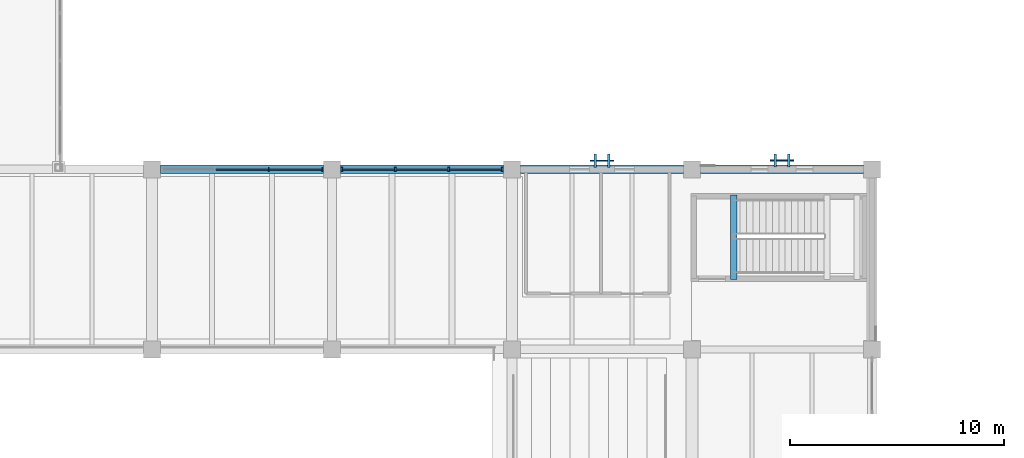
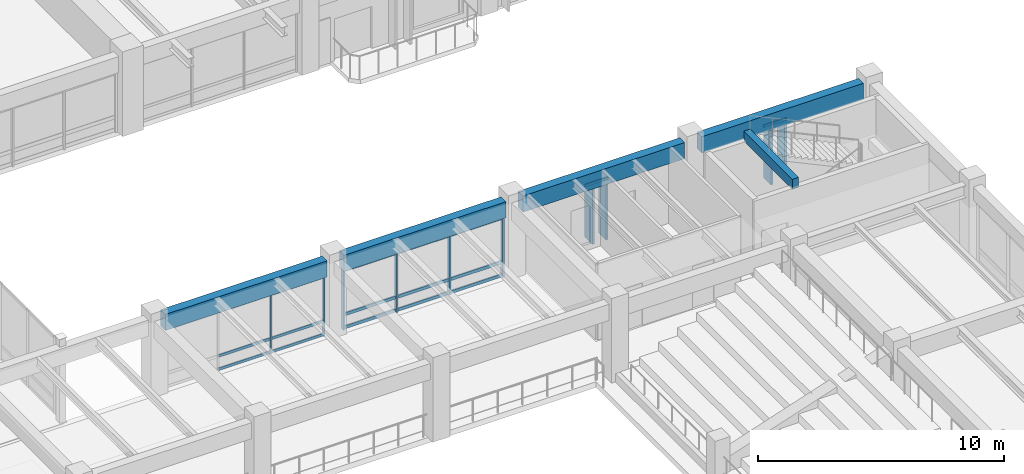
# One storey, part 41 of 132: 27 members, 5 beams, 4 elements without a shape of their own.
"""IFC4 building model written with IfcOpenShell, lengths in metres."""

from ifc_helpers import new_model, si_unit, direction, frame, origin, origin_2d, place, context, subcontext, project, spatial, rectangle, extrude, material, material_profile, profile_set, type_object, element, aggregate, save


model = new_model("IFC4")

# Units and contexts
model_context = context("Model", 3, precision=1e-05, world=origin(), true_north=direction((0.0, 1.0)))
body_context = subcontext(model_context, "Body", "Model", "MODEL_VIEW")
ifc_project = project(units=[si_unit("LENGTHUNIT", "METRE"), si_unit("AREAUNIT", "SQUARE_METRE"), si_unit("VOLUMEUNIT", "CUBIC_METRE"), si_unit("PLANEANGLEUNIT", "RADIAN"), si_unit("MASSUNIT", "GRAM", prefix="KILO")], contexts=[model_context])

# Site, building, storey
site_placement = place(None, origin())
site = spatial("IfcSite", under=ifc_project, at=site_placement, CompositionType="ELEMENT")
building_placement = place(site_placement, origin())
building = spatial("IfcBuilding", under=site, at=building_placement, Name="Cumbredor Promenade Congress Hotel", CompositionType="ELEMENT")
storey_placement = place(building_placement, frame((0.0, 0.0, 7.56005859375)))
storey = spatial("IfcBuildingStorey", under=building, at=storey_placement, Name="L02", CompositionType="ELEMENT", Elevation=7.56005859375)

# Curtain wall, members
ifc_material_1 = material(Name="Thermally broken anodized aluminium and low-E glass", Category="aluminium")
curtain_wall_type_1 = type_object("IfcCurtainWallType", Name="Unitised Bronze Curtain Wall CW-01", PredefinedType="NOTDEFINED", material=ifc_material_1)
curtain_wall_1_placement = place(storey_placement, origin())
curtain_wall_1 = element("IfcCurtainWall", 1, at=curtain_wall_1_placement, inside=storey, type_object=curtain_wall_type_1, Name="L02 Plenary Congress Hall North Curtain Wall 4", PredefinedType="NOTDEFINED")
ifc_material_2 = material(Name="Thermally broken anodized aluminium", Category="aluminium")
ifc_material_profile_1 = material_profile(ifc_material_2, rectangle(XDim=0.06494140625, YDim=0.159912109375, at=origin_2d()), Name="ALU MULLION 65x160")
ifc_profile_set_1 = profile_set([ifc_material_profile_1], Name="Thermally broken anodized aluminium")
member_type_1 = type_object("IfcMemberType", Name="Curtain Wall Mullion ML-01", PredefinedType="MULLION", material=ifc_profile_set_1)
member_1_placement = place(storey_placement, frame((39.04833984375, 67.199951171875, -0.008056640625), z_axis=(0.0, 0.0, 1.0), x_axis=(1.0, 0.0, 0.0)))
member_1 = element("IfcMember", 2, at=member_1_placement, type_object=member_type_1, Name="L02 Plenary Congress Hall North Curtain Wall 4 Mullion 3", PredefinedType="MULLION", context=body_context, shape_type="SweptSolid", body=[
    extrude(rectangle(XDim=0.06494140625, YDim=0.159912109375, at=origin_2d()), origin(), (0.0, 0.0, 1.0), 3.0009765625),
])
member_2_placement = place(storey_placement, frame((41.544921875, 67.199951171875, -0.008056640625), z_axis=(0.0, 0.0, 1.0), x_axis=(1.0, 0.0, 0.0)))
member_2 = element("IfcMember", 3, at=member_2_placement, type_object=member_type_1, Name="L02 Plenary Congress Hall North Curtain Wall 4 Mullion 4", PredefinedType="MULLION", context=body_context, shape_type="SweptSolid", body=[
    extrude(rectangle(XDim=0.06494140625, YDim=0.159912109375, at=origin_2d()), origin(), (0.0, 0.0, 1.0), 3.0009765625),
])

curtain_wall_2_placement = place(storey_placement, origin())
curtain_wall_2 = element("IfcCurtainWall", 4, at=curtain_wall_2_placement, inside=storey, type_object=curtain_wall_type_1, Name="L02 Plenary Congress Hall North Curtain Wall 5", PredefinedType="NOTDEFINED")
ifc_material_profile_2 = material_profile(ifc_material_2, rectangle(XDim=0.074951171875, YDim=0.199951171875, at=origin_2d()), Name="ALU MULLION 75x200")
ifc_profile_set_2 = profile_set([ifc_material_profile_2], Name="Thermally broken anodized aluminium")
member_type_2 = type_object("IfcMemberType", Name="Curtain Wall Mullion ML-02", PredefinedType="MULLION", material=ifc_profile_set_2)
member_3_placement = place(storey_placement, frame((42.455078125, 67.199951171875, -0.008056640625), z_axis=(0.0, 0.0, 1.0), x_axis=(1.0, 0.0, 0.0)))
member_3 = element("IfcMember", 5, at=member_3_placement, type_object=member_type_2, Name="L02 Plenary Congress Hall North Curtain Wall 5 Mullion 1", PredefinedType="MULLION", context=body_context, shape_type="SweptSolid", body=[
    extrude(rectangle(XDim=0.074951171875, YDim=0.199951171875, at=origin_2d()), origin(), (0.0, 0.0, 1.0), 3.0009765625),
])
member_4_placement = place(storey_placement, frame((44.95166015625, 67.199951171875, -0.008056640625), z_axis=(0.0, 0.0, 1.0), x_axis=(1.0, 0.0, 0.0)))
member_4 = element("IfcMember", 6, at=member_4_placement, type_object=member_type_2, Name="L02 Plenary Congress Hall North Curtain Wall 5 Mullion 2", PredefinedType="MULLION", context=body_context, shape_type="SweptSolid", body=[
    extrude(rectangle(XDim=0.074951171875, YDim=0.199951171875, at=origin_2d()), origin(), (0.0, 0.0, 1.0), 3.0009765625),
])
member_5_placement = place(storey_placement, frame((47.4482421875, 67.199951171875, -0.008056640625), z_axis=(0.0, 0.0, 1.0), x_axis=(1.0, 0.0, 0.0)))
member_5 = element("IfcMember", 7, at=member_5_placement, type_object=member_type_2, Name="L02 Plenary Congress Hall North Curtain Wall 5 Mullion 3", PredefinedType="MULLION", context=body_context, shape_type="SweptSolid", body=[
    extrude(rectangle(XDim=0.074951171875, YDim=0.199951171875, at=origin_2d()), origin(), (0.0, 0.0, 1.0), 3.0009765625),
])
member_6_placement = place(storey_placement, frame((49.945068359375, 67.199951171875, -0.008056640625), z_axis=(0.0, 0.0, 1.0), x_axis=(1.0, 0.0, 0.0)))
member_6 = element("IfcMember", 8, at=member_6_placement, type_object=member_type_2, Name="L02 Plenary Congress Hall North Curtain Wall 5 Mullion 4", PredefinedType="MULLION", context=body_context, shape_type="SweptSolid", body=[
    extrude(rectangle(XDim=0.074951171875, YDim=0.199951171875, at=origin_2d()), origin(), (0.0, 0.0, 1.0), 3.0009765625),
])

# Member
ifc_material_profile_3 = material_profile(ifc_material_2, rectangle(XDim=0.06494140625, YDim=0.1298828125, at=origin_2d()), Name="ALU TRANSOM 65x130")
ifc_profile_set_3 = profile_set([ifc_material_profile_3], Name="Thermally broken anodized aluminium")
member_type_3 = type_object("IfcMemberType", Name="Curtain Wall Transom TR-01", PredefinedType="USERDEFINED", material=ifc_profile_set_3)
member_7_placement = place(storey_placement, frame((36.584228515625, 67.199951171875, 0.06005859375), z_axis=(1.0, 0.0, 0.0), x_axis=(0.0, 1.0, 0.0)))
member_7 = element("IfcMember", 9, at=member_7_placement, type_object=member_type_3, Name="L02 Plenary Congress Hall North Curtain Wall 4 Transom 2.1", ObjectType="TRANSOM", PredefinedType="USERDEFINED", context=body_context, shape_type="SweptSolid", body=[
    extrude(rectangle(XDim=0.06494140625, YDim=0.1298828125, at=origin_2d()), origin(), (0.0, 0.0, 1.0), 2.431640625),
])

member_8_placement = place(storey_placement, frame((36.584228515625, 67.199951171875, 0.719970703125), z_axis=(1.0, 0.0, 0.0), x_axis=(0.0, 1.0, 0.0)))
member_8 = element("IfcMember", 10, at=member_8_placement, type_object=member_type_3, Name="L02 Plenary Congress Hall North Curtain Wall 4 Transom 2.2", ObjectType="TRANSOM", PredefinedType="USERDEFINED", context=body_context, shape_type="SweptSolid", body=[
    extrude(rectangle(XDim=0.06494140625, YDim=0.1298828125, at=origin_2d()), origin(), (0.0, 0.0, 1.0), 2.431640625),
])

member_9_placement = place(storey_placement, frame((36.584228515625, 67.199951171875, 2.919921875), z_axis=(1.0, 0.0, 0.0), x_axis=(0.0, 1.0, 0.0)))
member_9 = element("IfcMember", 11, at=member_9_placement, type_object=member_type_3, Name="L02 Plenary Congress Hall North Curtain Wall 4 Transom 2.3", ObjectType="TRANSOM", PredefinedType="USERDEFINED", context=body_context, shape_type="SweptSolid", body=[
    extrude(rectangle(XDim=0.06494140625, YDim=0.1298828125, at=origin_2d()), origin(), (0.0, 0.0, 1.0), 2.431640625),
])

member_10_placement = place(storey_placement, frame((39.080810546875, 67.199951171875, 0.06005859375), z_axis=(1.0, 0.0, 0.0), x_axis=(0.0, 1.0, 0.0)))
member_10 = element("IfcMember", 12, at=member_10_placement, type_object=member_type_3, Name="L02 Plenary Congress Hall North Curtain Wall 4 Transom 3.1", ObjectType="TRANSOM", PredefinedType="USERDEFINED", context=body_context, shape_type="SweptSolid", body=[
    extrude(rectangle(XDim=0.06494140625, YDim=0.1298828125, at=origin_2d()), origin(), (0.0, 0.0, 1.0), 2.431640625),
])

member_11_placement = place(storey_placement, frame((39.080810546875, 67.199951171875, 0.719970703125), z_axis=(1.0, 0.0, 0.0), x_axis=(0.0, 1.0, 0.0)))
member_11 = element("IfcMember", 13, at=member_11_placement, type_object=member_type_3, Name="L02 Plenary Congress Hall North Curtain Wall 4 Transom 3.2", ObjectType="TRANSOM", PredefinedType="USERDEFINED", context=body_context, shape_type="SweptSolid", body=[
    extrude(rectangle(XDim=0.06494140625, YDim=0.1298828125, at=origin_2d()), origin(), (0.0, 0.0, 1.0), 2.431640625),
])

member_12_placement = place(storey_placement, frame((39.080810546875, 67.199951171875, 2.919921875), z_axis=(1.0, 0.0, 0.0), x_axis=(0.0, 1.0, 0.0)))
member_12 = element("IfcMember", 14, at=member_12_placement, type_object=member_type_3, Name="L02 Plenary Congress Hall North Curtain Wall 4 Transom 3.3", ObjectType="TRANSOM", PredefinedType="USERDEFINED", context=body_context, shape_type="SweptSolid", body=[
    extrude(rectangle(XDim=0.06494140625, YDim=0.1298828125, at=origin_2d()), origin(), (0.0, 0.0, 1.0), 2.431640625),
])

aggregate(curtain_wall_1, [member_1, member_2, member_7, member_8, member_9, member_10, member_11, member_12])

# Curtain wall, member
curtain_wall_type_2 = type_object("IfcCurtainWallType", Name="Solar Brise-Soleil Screen Assembly CW-07", PredefinedType="NOTDEFINED", material=ifc_material_1)
curtain_wall_3_placement = place(storey_placement, origin())
curtain_wall_3 = element("IfcCurtainWall", 15, at=curtain_wall_3_placement, inside=storey, type_object=curtain_wall_type_2, Name="L02 Pier Brise-Soleil Screen 0367", PredefinedType="NOTDEFINED")
member_13_placement = place(storey_placement, frame((54.050048828125, 67.60009765625, 2.824951171875), z_axis=(1.0, 0.0, 0.0), x_axis=(0.0, 1.0, 0.0)))
member_13 = element("IfcMember", 16, at=member_13_placement, type_object=member_type_3, Name="L02 Pier Brise-Soleil Header 0369", ObjectType="TRANSOM", PredefinedType="USERDEFINED", context=body_context, shape_type="SweptSolid", body=[
    extrude(rectangle(XDim=0.06494140625, YDim=0.1298828125, at=origin_2d()), origin(), (0.0, 0.0, 1.0), 1.099853515625),
])

curtain_wall_4_placement = place(storey_placement, origin())
curtain_wall_4 = element("IfcCurtainWall", 17, at=curtain_wall_4_placement, inside=storey, type_object=curtain_wall_type_2, Name="L02 Pier Brise-Soleil Screen 0370", PredefinedType="NOTDEFINED")
member_14_placement = place(storey_placement, frame((62.449951171875, 67.610107421875, 2.824951171875), z_axis=(1.0, 0.0, 0.0), x_axis=(0.0, 1.0, 0.0)))
member_14 = element("IfcMember", 18, at=member_14_placement, type_object=member_type_3, Name="L02 Pier Brise-Soleil Header 0372", ObjectType="TRANSOM", PredefinedType="USERDEFINED", context=body_context, shape_type="SweptSolid", body=[
    extrude(rectangle(XDim=0.06494140625, YDim=0.1298828125, at=origin_2d()), origin(), (0.0, 0.0, 1.0), 1.10009765625),
])

# Member
ifc_material_profile_4 = material_profile(ifc_material_2, rectangle(XDim=0.074951171875, YDim=0.14990234375, at=origin_2d()), Name="ALU TRANSOM 75x150")
ifc_profile_set_4 = profile_set([ifc_material_profile_4], Name="Thermally broken anodized aluminium")
member_type_4 = type_object("IfcMemberType", Name="Curtain Wall Transom TR-02", PredefinedType="USERDEFINED", material=ifc_profile_set_4)
member_15_placement = place(storey_placement, frame((42.492431640625, 67.199951171875, 0.06982421875), z_axis=(1.0, 0.0, 0.0), x_axis=(0.0, 1.0, 0.0)))
member_15 = element("IfcMember", 19, at=member_15_placement, type_object=member_type_4, Name="L02 Plenary Congress Hall North Curtain Wall 5 Transom 1.1", ObjectType="TRANSOM", PredefinedType="USERDEFINED", context=body_context, shape_type="SweptSolid", body=[
    extrude(rectangle(XDim=0.074951171875, YDim=0.14990234375, at=origin_2d()), origin(), (0.0, 0.0, 1.0), 2.421875),
])

member_16_placement = place(storey_placement, frame((42.492431640625, 67.199951171875, 0.719970703125), z_axis=(1.0, 0.0, 0.0), x_axis=(0.0, 1.0, 0.0)))
member_16 = element("IfcMember", 20, at=member_16_placement, type_object=member_type_4, Name="L02 Plenary Congress Hall North Curtain Wall 5 Transom 1.2", ObjectType="TRANSOM", PredefinedType="USERDEFINED", context=body_context, shape_type="SweptSolid", body=[
    extrude(rectangle(XDim=0.074951171875, YDim=0.14990234375, at=origin_2d()), origin(), (0.0, 0.0, 1.0), 2.421875),
])

member_17_placement = place(storey_placement, frame((42.492431640625, 67.199951171875, 2.909912109375), z_axis=(1.0, 0.0, 0.0), x_axis=(0.0, 1.0, 0.0)))
member_17 = element("IfcMember", 21, at=member_17_placement, type_object=member_type_4, Name="L02 Plenary Congress Hall North Curtain Wall 5 Transom 1.3", ObjectType="TRANSOM", PredefinedType="USERDEFINED", context=body_context, shape_type="SweptSolid", body=[
    extrude(rectangle(XDim=0.074951171875, YDim=0.14990234375, at=origin_2d()), origin(), (0.0, 0.0, 1.0), 2.421875),
])

member_18_placement = place(storey_placement, frame((44.9892578125, 67.199951171875, 0.06982421875), z_axis=(1.0, 0.0, 0.0), x_axis=(0.0, 1.0, 0.0)))
member_18 = element("IfcMember", 22, at=member_18_placement, type_object=member_type_4, Name="L02 Plenary Congress Hall North Curtain Wall 5 Transom 2.1", ObjectType="TRANSOM", PredefinedType="USERDEFINED", context=body_context, shape_type="SweptSolid", body=[
    extrude(rectangle(XDim=0.074951171875, YDim=0.14990234375, at=origin_2d()), origin(), (0.0, 0.0, 1.0), 2.421630859375),
])

member_19_placement = place(storey_placement, frame((44.9892578125, 67.199951171875, 0.719970703125), z_axis=(1.0, 0.0, 0.0), x_axis=(0.0, 1.0, 0.0)))
member_19 = element("IfcMember", 23, at=member_19_placement, type_object=member_type_4, Name="L02 Plenary Congress Hall North Curtain Wall 5 Transom 2.2", ObjectType="TRANSOM", PredefinedType="USERDEFINED", context=body_context, shape_type="SweptSolid", body=[
    extrude(rectangle(XDim=0.074951171875, YDim=0.14990234375, at=origin_2d()), origin(), (0.0, 0.0, 1.0), 2.421630859375),
])

member_20_placement = place(storey_placement, frame((44.9892578125, 67.199951171875, 2.909912109375), z_axis=(1.0, 0.0, 0.0), x_axis=(0.0, 1.0, 0.0)))
member_20 = element("IfcMember", 24, at=member_20_placement, type_object=member_type_4, Name="L02 Plenary Congress Hall North Curtain Wall 5 Transom 2.3", ObjectType="TRANSOM", PredefinedType="USERDEFINED", context=body_context, shape_type="SweptSolid", body=[
    extrude(rectangle(XDim=0.074951171875, YDim=0.14990234375, at=origin_2d()), origin(), (0.0, 0.0, 1.0), 2.421630859375),
])

member_21_placement = place(storey_placement, frame((47.48583984375, 67.199951171875, 0.06982421875), z_axis=(1.0, 0.0, 0.0), x_axis=(0.0, 1.0, 0.0)))
member_21 = element("IfcMember", 25, at=member_21_placement, type_object=member_type_4, Name="L02 Plenary Congress Hall North Curtain Wall 5 Transom 3.1", ObjectType="TRANSOM", PredefinedType="USERDEFINED", context=body_context, shape_type="SweptSolid", body=[
    extrude(rectangle(XDim=0.074951171875, YDim=0.14990234375, at=origin_2d()), origin(), (0.0, 0.0, 1.0), 2.421630859375),
])

member_22_placement = place(storey_placement, frame((47.48583984375, 67.199951171875, 0.719970703125), z_axis=(1.0, 0.0, 0.0), x_axis=(0.0, 1.0, 0.0)))
member_22 = element("IfcMember", 26, at=member_22_placement, type_object=member_type_4, Name="L02 Plenary Congress Hall North Curtain Wall 5 Transom 3.2", ObjectType="TRANSOM", PredefinedType="USERDEFINED", context=body_context, shape_type="SweptSolid", body=[
    extrude(rectangle(XDim=0.074951171875, YDim=0.14990234375, at=origin_2d()), origin(), (0.0, 0.0, 1.0), 2.421630859375),
])

member_23_placement = place(storey_placement, frame((47.48583984375, 67.199951171875, 2.909912109375), z_axis=(1.0, 0.0, 0.0), x_axis=(0.0, 1.0, 0.0)))
member_23 = element("IfcMember", 27, at=member_23_placement, type_object=member_type_4, Name="L02 Plenary Congress Hall North Curtain Wall 5 Transom 3.3", ObjectType="TRANSOM", PredefinedType="USERDEFINED", context=body_context, shape_type="SweptSolid", body=[
    extrude(rectangle(XDim=0.074951171875, YDim=0.14990234375, at=origin_2d()), origin(), (0.0, 0.0, 1.0), 2.421630859375),
])

aggregate(curtain_wall_2, [member_3, member_4, member_5, member_6, member_15, member_16, member_17, member_18, member_19, member_20, member_21, member_22, member_23])

# Beams
ifc_material_3 = material(Name="Concrete C40/50", Category="concrete")
ifc_material_profile_5 = material_profile(ifc_material_3, rectangle(XDim=0.300048828125, YDim=0.5, at=origin_2d()), Name="RC LINTEL 300x500")
ifc_profile_set_5 = profile_set([ifc_material_profile_5], Name="Concrete C40/50")
beam_type_1 = type_object("IfcBeamType", Name="LN-RC-300x500", PredefinedType="LINTEL", material=ifc_profile_set_5)
beam_1_placement = place(storey_placement, frame((60.75, 62.050048828125, 3.949951171875), z_axis=(0.0, 1.0, 0.0), x_axis=(-1.0, 0.0, 0.0)))
element("IfcBeam", 28, at=beam_1_placement, inside=storey, type_object=beam_type_1, Name="L03 Stair ST-07 Well Header Trimmer Beam", PredefinedType="LINTEL", context=body_context, shape_type="SweptSolid", body=[
    extrude(rectangle(XDim=0.300048828125, YDim=0.5, at=origin_2d()), origin(), (0.0, 0.0, 1.0), 3.949951171875),
])
ifc_material_profile_6 = material_profile(ifc_material_3, rectangle(XDim=0.39990234375, YDim=0.800048828125, at=origin_2d()), Name="RC SPANDREL 400x800")
ifc_profile_set_6 = profile_set([ifc_material_profile_6], Name="Concrete C40/50")
beam_type_2 = type_object("IfcBeamType", Name="SP-RC-400x800", PredefinedType="SPANDREL", material=ifc_profile_set_6)
for number, where, z_axis, x_axis, name in (
    (29, (34.0, 67.199951171875, 3.39990234375), (1.0, 0.0, 0.0), (0.0, 1.0, 0.0), "L03 X-Grid Beam 063"),
    (30, (42.39990234375, 67.199951171875, 3.39990234375), (1.0, 0.0, 0.0), (0.0, 1.0, 0.0), "L03 X-Grid Beam 073"),
):
    element("IfcBeam", number, at=place(storey_placement, frame(where, z_axis=z_axis, x_axis=x_axis)), inside=storey, type_object=beam_type_2, Name=name, PredefinedType="SPANDREL", context=body_context, shape_type="SweptSolid", body=[
        extrude(rectangle(XDim=0.39990234375, YDim=0.800048828125, at=origin_2d()), origin(), (0.0, 0.0, 1.0), 7.60009765625),
    ])
beam_2_placement = place(storey_placement, frame((50.800048828125, 67.199951171875, 3.39990234375), z_axis=(1.0, 0.0, 0.0), x_axis=(0.0, 1.0, 0.0)))
element("IfcBeam", 31, at=beam_2_placement, inside=storey, type_object=beam_type_2, Name="L03 X-Grid Beam 083", PredefinedType="SPANDREL", context=body_context, shape_type="SweptSolid", body=[
    extrude(rectangle(XDim=0.39990234375, YDim=0.800048828125, at=origin_2d()), origin(), (0.0, 0.0, 1.0), 7.599853515625),
])
beam_3_placement = place(storey_placement, frame((59.199951171875, 67.199951171875, 3.39990234375), z_axis=(1.0, 0.0, 0.0), x_axis=(0.0, 1.0, 0.0)))
element("IfcBeam", 32, at=beam_3_placement, inside=storey, type_object=beam_type_2, Name="L03 X-Grid Beam 105", PredefinedType="SPANDREL", context=body_context, shape_type="SweptSolid", body=[
    extrude(rectangle(XDim=0.39990234375, YDim=0.800048828125, at=origin_2d()), origin(), (0.0, 0.0, 1.0), 7.60009765625),
])

# Member
ifc_material_profile_7 = material_profile(ifc_material_2, rectangle(XDim=0.110107421875, YDim=0.6201171875, at=origin_2d()), Name="ARCH FIN 110x620")
ifc_profile_set_7 = profile_set([ifc_material_profile_7], Name="Thermally broken anodized aluminium")
member_type_5 = type_object("IfcMemberType", Name="Vertical Bronze Brise-Soleil Fin BSF-02 110x620", PredefinedType="USERDEFINED", material=ifc_profile_set_7)
member_24_placement = place(storey_placement, frame((54.280029296875, 67.60009765625, 0.02001953125), z_axis=(0.0, 0.0, 1.0), x_axis=(1.0, 0.0, 0.0)))
member_24 = element("IfcMember", 33, at=member_24_placement, type_object=member_type_5, Name="L02 Pier Brise-Soleil Fin 0368", ObjectType="SOLAR FIN", PredefinedType="USERDEFINED", context=body_context, shape_type="SweptSolid", body=[
    extrude(rectangle(XDim=0.110107421875, YDim=0.6201171875, at=origin_2d()), origin(), (0.0, 0.0, 1.0), 2.844970703125),
])

member_25_placement = place(storey_placement, frame((54.919921875, 67.60009765625, 0.02001953125), z_axis=(0.0, 0.0, 1.0), x_axis=(1.0, 0.0, 0.0)))
member_25 = element("IfcMember", 34, at=member_25_placement, type_object=member_type_5, Name="L02 Pier Brise-Soleil Fin 0369", ObjectType="SOLAR FIN", PredefinedType="USERDEFINED", context=body_context, shape_type="SweptSolid", body=[
    extrude(rectangle(XDim=0.110107421875, YDim=0.6201171875, at=origin_2d()), origin(), (0.0, 0.0, 1.0), 2.844970703125),
])

aggregate(curtain_wall_3, [member_24, member_25, member_13])

member_26_placement = place(storey_placement, frame((62.679931640625, 67.610107421875, 0.02001953125), z_axis=(0.0, 0.0, 1.0), x_axis=(1.0, 0.0, 0.0)))
member_26 = element("IfcMember", 35, at=member_26_placement, type_object=member_type_5, Name="L02 Pier Brise-Soleil Fin 0371", ObjectType="SOLAR FIN", PredefinedType="USERDEFINED", context=body_context, shape_type="SweptSolid", body=[
    extrude(rectangle(XDim=0.110107421875, YDim=0.6201171875, at=origin_2d()), origin(), (0.0, 0.0, 1.0), 2.844970703125),
])

member_27_placement = place(storey_placement, frame((63.320068359375, 67.610107421875, 0.02001953125), z_axis=(0.0, 0.0, 1.0), x_axis=(1.0, 0.0, 0.0)))
member_27 = element("IfcMember", 36, at=member_27_placement, type_object=member_type_5, Name="L02 Pier Brise-Soleil Fin 0372", ObjectType="SOLAR FIN", PredefinedType="USERDEFINED", context=body_context, shape_type="SweptSolid", body=[
    extrude(rectangle(XDim=0.110107421875, YDim=0.6201171875, at=origin_2d()), origin(), (0.0, 0.0, 1.0), 2.844970703125),
])

aggregate(curtain_wall_4, [member_26, member_27, member_14])

save(model, "model.ifc")
